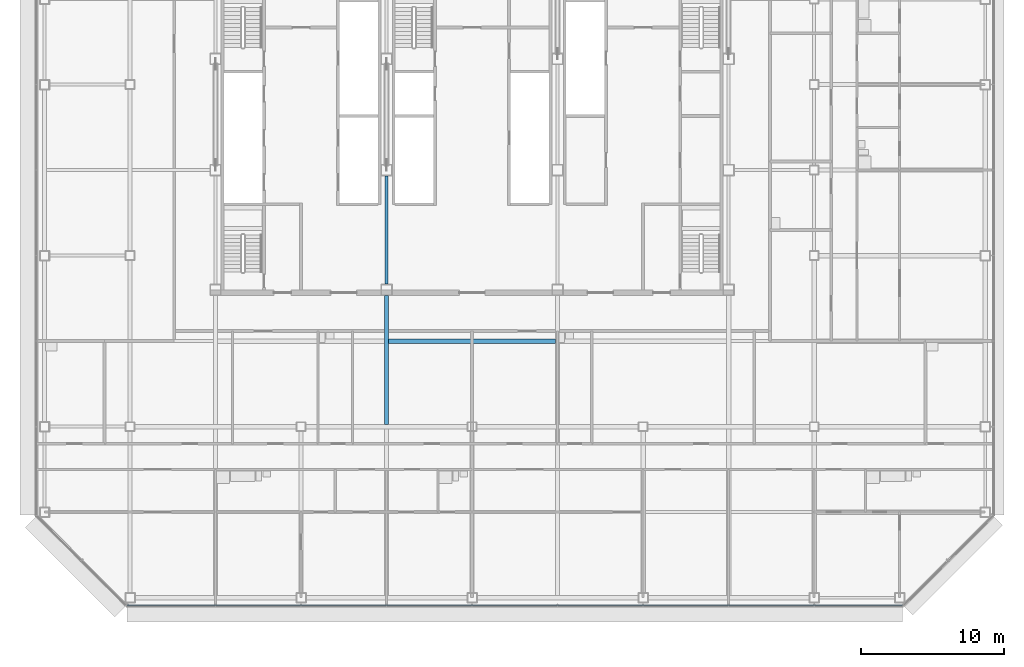
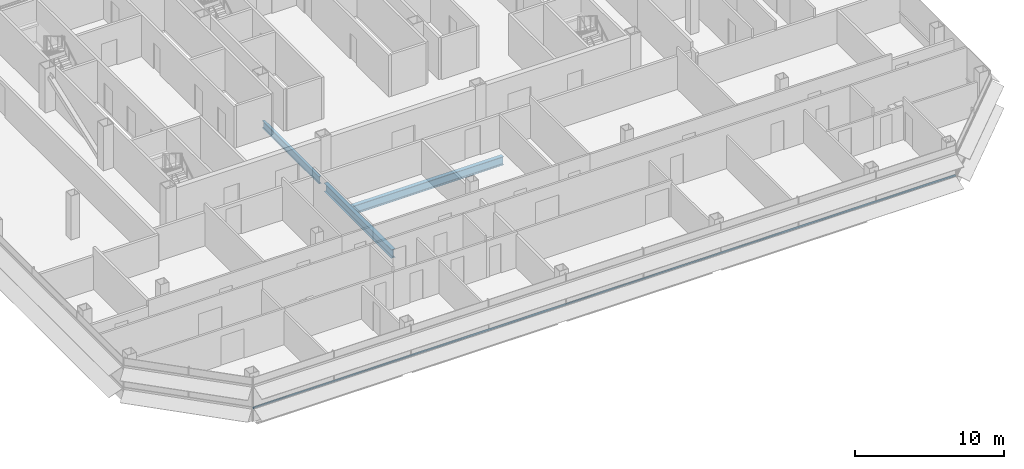
# One storey, part 7 of 26: 3 beams, 1 member, 1 element without a shape of its own.
"""IFC4 building model written with IfcOpenShell, lengths in metres."""

from ifc_helpers import new_model, si_unit, direction, frame, origin, origin_2d, place, context, subcontext, project, spatial, rectangle, i_section, extrude, material, material_profile, profile_set, type_object, element, aggregate, save


model = new_model("IFC4")

# Units and contexts
model_context = context("Model", 3, precision=1e-05, world=origin(), true_north=direction((0.0, 1.0)))
body_context = subcontext(model_context, "Body", "Model", "MODEL_VIEW")
ifc_project = project(units=[si_unit("LENGTHUNIT", "METRE"), si_unit("AREAUNIT", "SQUARE_METRE"), si_unit("VOLUMEUNIT", "CUBIC_METRE"), si_unit("PLANEANGLEUNIT", "RADIAN"), si_unit("MASSUNIT", "GRAM", prefix="KILO")], contexts=[model_context])

# Site, building, storey
site_placement = place(None, origin())
site = spatial("IfcSite", under=ifc_project, at=site_placement, CompositionType="ELEMENT")
building_placement = place(site_placement, origin())
building = spatial("IfcBuilding", under=site, at=building_placement, Name="Sorahane Residences", CompositionType="ELEMENT")
storey_placement = place(building_placement, frame((0.0, 0.0, 151.0)))
storey = spatial("IfcBuildingStorey", under=building, at=storey_placement, Name="L34", CompositionType="ELEMENT", Elevation=151.0)

# Curtain wall, member
ifc_material_1 = material(Name="Dark low-e glass and black anodised aluminium", Category="aluminium")
curtain_wall_type = type_object("IfcCurtainWallType", Name="Curtain wall CW-1 Typical unitised wall", PredefinedType="NOTDEFINED", material=ifc_material_1)
curtain_wall_placement = place(storey_placement, origin())
curtain_wall = element("IfcCurtainWall", 1, at=curtain_wall_placement, inside=storey, type_object=curtain_wall_type, Name="CW-1 curtain wall L34 S1", PredefinedType="NOTDEFINED")
ifc_material_2 = material(Name="Black anodised aluminium", Category="aluminium")
ifc_material_profile_1 = material_profile(ifc_material_2, rectangle(XDim=0.10009765625, YDim=0.06005859375, at=origin_2d()), Name="Curtain wall transom CW-1 black anodised aluminium 60x100")
ifc_profile_set_1 = profile_set([ifc_material_profile_1], Name="Black anodised aluminium")
member_type = type_object("IfcMemberType", Name="Curtain wall transom CW-1 black anodised aluminium 60x100", PredefinedType="USERDEFINED", material=ifc_profile_set_1)
member_placement = place(storey_placement, frame((-0.198486328125, -0.530029296875, 0.89990234375), z_axis=(1.0, 0.0, 0.0), x_axis=(0.0, 1.0, 0.0)))
member = element("IfcMember", 2, at=member_placement, type_object=member_type, Name="CW-1 transom L34 S1", ObjectType="TRANSOM", PredefinedType="USERDEFINED", context=body_context, shape_type="SweptSolid", body=[
    extrude(rectangle(XDim=0.10009765625, YDim=0.06005859375, at=origin_2d()), origin(), (0.0, 0.0, 1.0), 54.39697265625),
])
aggregate(curtain_wall, [member])

# Beams
ifc_material_3 = material(Name="Steel Q355B", Category="steel")
ifc_material_profile_2 = material_profile(ifc_material_3, i_section(OverallWidth=0.199951171875, OverallDepth=0.60009765625, WebThickness=0.010986328125, FlangeThickness=0.01708984375, FilletRadius=0.02392578125, at=origin_2d()), Name="HN 600x200x11x17")
ifc_profile_set_2 = profile_set([ifc_material_profile_2], Name="Steel Q355B")
beam_type_1 = type_object("IfcBeamType", Name="Steel floor beam HN 600x200x11x17 Q355B", PredefinedType="BEAM", material=ifc_profile_set_2)
beam_1_placement = place(storey_placement, frame((18.0, 22.0, -0.47998046875), z_axis=(0.0, 1.0, 0.0), x_axis=(-1.0, 0.0, 0.0)))
element("IfcBeam", 3, at=beam_1_placement, inside=storey, type_object=beam_type_1, Name="Beam L34 038", PredefinedType="BEAM", context=body_context, shape_type="SweptSolid", body=[
    extrude(i_section(OverallWidth=0.199951171875, OverallDepth=0.60009765625, WebThickness=0.010986328125, FlangeThickness=0.01708984375, FilletRadius=0.02392578125, at=origin_2d()), origin(), (0.0, 0.0, 1.0), 7.60009765625),
])
ifc_material_4 = material(Name="Steel Q355B", Category="steel")
ifc_material_profile_3 = material_profile(ifc_material_4, i_section(OverallWidth=0.300048828125, OverallDepth=0.699951171875, WebThickness=0.012939453125, FlangeThickness=0.02392578125, FilletRadius=0.028076171875, at=origin_2d()), Name="HN 700x300x13x24")
ifc_profile_set_3 = profile_set([ifc_material_profile_3], Name="Steel Q355B")
beam_type_2 = type_object("IfcBeamType", Name="Steel floor beam HN 700x300x13x24 Q355B", PredefinedType="BEAM", material=ifc_profile_set_3)
beam_2_placement = place(storey_placement, frame((18.0, 12.14990234375, -0.530029296875), z_axis=(0.0, 1.0, 0.0), x_axis=(-1.0, 0.0, 0.0)))
element("IfcBeam", 4, at=beam_2_placement, inside=storey, type_object=beam_type_2, Name="Beam L34 037", PredefinedType="BEAM", context=body_context, shape_type="SweptSolid", body=[
    extrude(i_section(OverallWidth=0.300048828125, OverallDepth=0.699951171875, WebThickness=0.012939453125, FlangeThickness=0.02392578125, FilletRadius=0.028076171875, at=origin_2d()), origin(), (0.0, 0.0, 1.0), 9.050048828125),
])
beam_3_placement = place(storey_placement, frame((18.14990234375, 18.0, -0.530029296875), z_axis=(1.0, 0.0, 0.0), x_axis=(0.0, 1.0, 0.0)))
element("IfcBeam", 5, at=beam_3_placement, inside=storey, type_object=beam_type_2, Name="Beam L34 081", PredefinedType="BEAM", context=body_context, shape_type="SweptSolid", body=[
    extrude(i_section(OverallWidth=0.300048828125, OverallDepth=0.699951171875, WebThickness=0.012939453125, FlangeThickness=0.02392578125, FilletRadius=0.028076171875, at=origin_2d()), origin(), (0.0, 0.0, 1.0), 11.7001953125),
])

save(model, "model.ifc")
